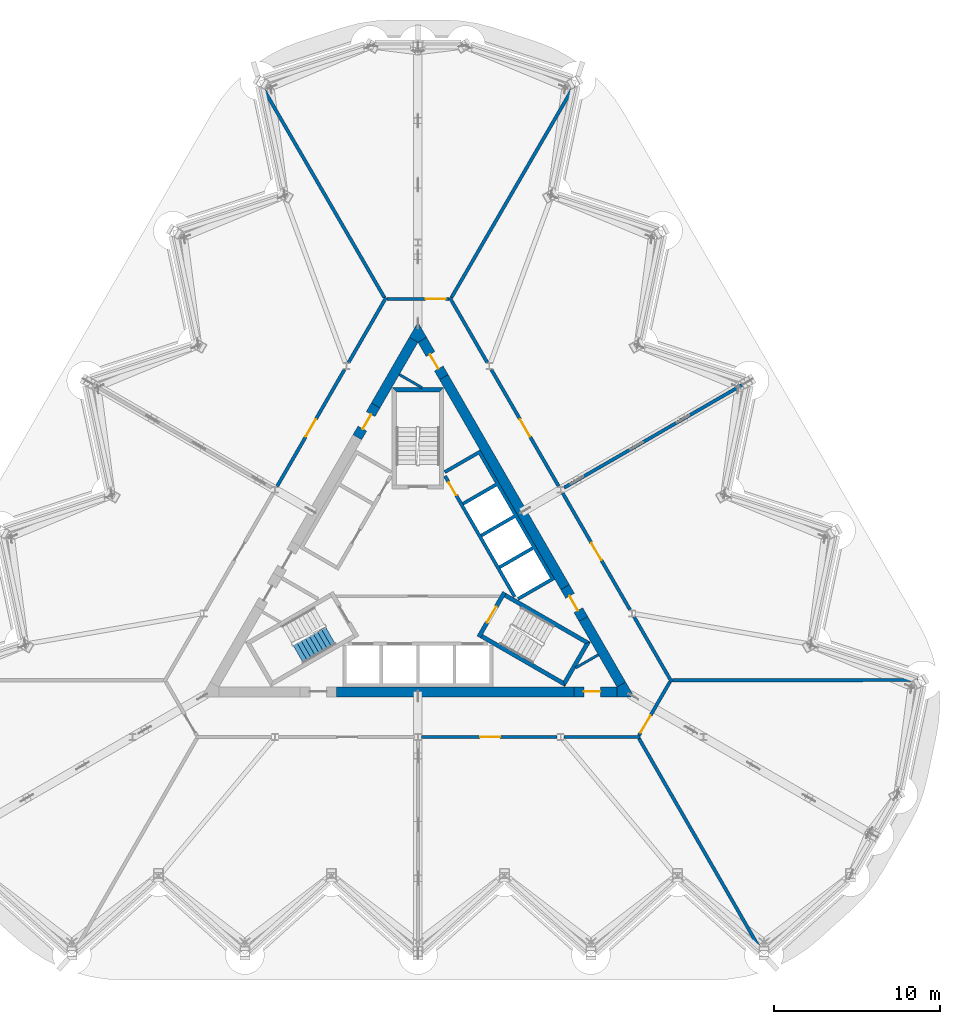
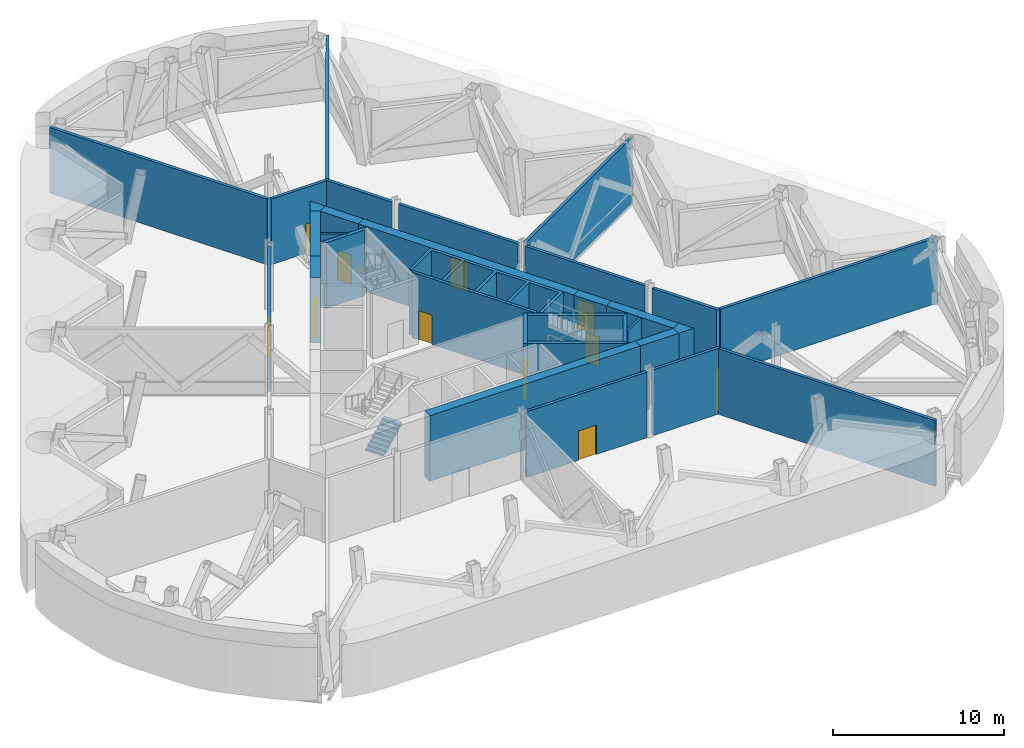
# One storey, part 8 of 16: 34 walls, 12 doors, 1 stair flight, 12 openings, 1 element without a shape of its own.
"""IFC4 building model written with IfcOpenShell, lengths in metres."""

from ifc_helpers import new_model, si_unit, direction, frame, frame_2d, origin, place, context, subcontext, project, spatial, polyline, rectangle, outline, extrude, material, layer, layer_set, type_object, element, fill, aggregate, save


model = new_model("IFC4")

# Units and contexts
model_context = context("Model", 3, precision=1e-05, world=origin(), true_north=direction((0.0, 1.0)))
body_context = subcontext(model_context, "Body", "Model", "MODEL_VIEW")
ifc_project = project(units=[si_unit("LENGTHUNIT", "METRE"), si_unit("AREAUNIT", "SQUARE_METRE"), si_unit("VOLUMEUNIT", "CUBIC_METRE"), si_unit("PLANEANGLEUNIT", "RADIAN"), si_unit("MASSUNIT", "GRAM", prefix="KILO")], contexts=[model_context])

# Site, building, storey
site_placement = place(None, origin())
site = spatial("IfcSite", under=ifc_project, at=site_placement, CompositionType="ELEMENT")
building_placement = place(site_placement, origin())
building = spatial("IfcBuilding", under=site, at=building_placement, Name="Cormorant Prow Tower", CompositionType="ELEMENT")
storey_placement = place(building_placement, frame((0.0, 0.0, 356.0)))
storey = spatial("IfcBuildingStorey", under=building, at=storey_placement, Name="L79", CompositionType="ELEMENT", Elevation=356.0)

# Walls
ifc_material_1 = material(Name="Gypsum board partition")
ifc_layer_1 = layer(ifc_material_1, 0.14990234375)
ifc_layer_set_1 = layer_set([ifc_layer_1], Name="Gypsum board partition")
wall_type_1 = type_object("IfcWallType", Name="Core partition 150", PredefinedType="PARTITIONING", material=ifc_layer_set_1)
wall_1_placement = place(storey_placement, frame((10.841796875, -4.96728515625, 0.0), z_axis=(0.0, 0.0, 1.0), x_axis=(-0.866098216386, -0.499873863663, 0.0)))
element("IfcWall", 1, at=wall_1_placement, inside=storey, type_object=wall_type_1, Name="Service room partition", PredefinedType="PARTITIONING", context=body_context, shape_type="SweptSolid", body=[
    extrude(rectangle(XDim=1.58203125, YDim=0.14990234375, at=frame_2d((0.791015625, 0.0))), origin(), (0.0, 0.0, 1.0), 4.699951171875),
])
wall_2_placement = place(storey_placement, frame((-1.119140625, 11.872802734375, 0.0), z_axis=(0.0, 0.0, 1.0), x_axis=(0.865992812752, -0.500056445075, 0.0)))
element("IfcWall", 2, at=wall_2_placement, inside=storey, type_object=wall_type_1, Name="Service room partition", PredefinedType="PARTITIONING", context=body_context, shape_type="SweptSolid", body=[
    extrude(rectangle(XDim=1.581787109375, YDim=0.14990234375, at=frame_2d((0.791015625, 0.0))), origin(), (0.0, 0.0, 1.0), 4.699951171875),
])
ifc_material_2 = material(Name="Concrete 8000 psi", Category="concrete")
ifc_layer_2 = layer(ifc_material_2, 0.60009765625)
ifc_layer_set_2 = layer_set([ifc_layer_2], Name="Concrete 8000 psi")
wall_type_2 = type_object("IfcWallType", Name="Core shear wall 600", PredefinedType="SHEAR", material=ifc_layer_set_2)
wall_3_placement = place(storey_placement, frame((-4.89208984375, -7.20556640625, 0.0), z_axis=(0.0, 0.0, 1.0), x_axis=(1.0, 0.0, 0.0)))
element("IfcWall", 3, at=wall_3_placement, inside=storey, type_object=wall_type_2, Name="Core wall", PredefinedType="SHEAR", context=body_context, shape_type="SweptSolid", body=[
    extrude(rectangle(XDim=14.2607421875, YDim=0.60009765625, at=frame_2d((7.13037109375, 0.0))), origin(), (0.0, 0.0, 1.0), 4.699951171875),
])
wall_4_placement = place(storey_placement, frame((8.841064453125, -0.902099609375, 0.0), z_axis=(0.0, 0.0, 1.0), x_axis=(-0.499995618375, 0.866027933502, 0.0)))
element("IfcWall", 4, at=wall_4_placement, inside=storey, type_object=wall_type_2, Name="Core wall", PredefinedType="SHEAR", context=body_context, shape_type="SweptSolid", body=[
    extrude(rectangle(XDim=14.570556640625, YDim=0.60009765625, at=frame_2d((7.28515625, 0.0))), origin(), (0.0, 0.0, 1.0), 4.699951171875),
])
for number, where, z_axis, x_axis, name in (
    (5, (12.220703125, -6.755615234375, 0.0), (0.0, 0.0, 1.0), (-0.500020646047, 0.866013483456, 0.0), "Core wall"),
    (6, (-0.259765625, 13.961181640625, 0.0), (0.0, 0.0, 1.0), (-0.499980485389, -0.866036670257, 0.0), "Core wall"),
):
    element("IfcWall", number, at=place(storey_placement, frame(where, z_axis=z_axis, x_axis=x_axis)), inside=storey, type_object=wall_type_2, Name=name, PredefinedType="SHEAR", context=body_context, shape_type="SweptSolid", body=[
        extrude(rectangle(XDim=4.559326171875, YDim=0.60009765625, at=frame_2d((2.27978515625, 0.0))), origin(), (0.0, 0.0, 1.0), 4.699951171875),
    ])
wall_5_placement = place(storey_placement, origin())
element("IfcWall", 7, at=wall_5_placement, inside=storey, type_object=wall_type_2, Name="Core wall corner", PredefinedType="SHEAR", context=body_context, shape_type="SweptSolid", body=[
    extrude(outline(polyline([(11.960693359375, -7.505615234375), (11.960693359375, -6.905517578125), (12.48046875, -6.605712890625), (13.0, -7.505615234375), (11.960693359375, -7.505615234375)])), origin(), (0.0, 0.0, 1.0), 4.699951171875),
])
wall_6_placement = place(storey_placement, origin())
element("IfcWall", 8, at=wall_6_placement, inside=storey, type_object=wall_type_2, Name="Core wall corner", PredefinedType="SHEAR", context=body_context, shape_type="SweptSolid", body=[
    extrude(outline(polyline([(-0.51953125, 14.111083984375), (0.0, 15.010986328125), (0.51953125, 14.111083984375), (0.0, 13.81103515625), (-0.51953125, 14.111083984375)])), origin(), (0.0, 0.0, 1.0), 4.699951171875),
])

# Wall, opening, door
wall_7_placement = place(storey_placement, frame((9.36865234375, -7.20556640625, 0.0), z_axis=(0.0, 0.0, 1.0), x_axis=(1.0, 0.0, 0.0)))
wall_7 = element("IfcWall", 9, at=wall_7_placement, inside=storey, type_object=wall_type_2, Name="Core wall door panel", PredefinedType="SHEAR", context=body_context, shape_type="SweptSolid", body=[
    extrude(rectangle(XDim=2.592041015625, YDim=0.60009765625, at=frame_2d((1.2958984375, 0.0))), origin(), (0.0, 0.0, 1.0), 4.699951171875),
])
opening_1_placement = place(wall_7_placement, frame((0.60009765625, 0.0, 0.0)))
opening_1 = element("IfcOpeningElement", 10, at=opening_1_placement, cuts=wall_7, Name="Opening L79-C11", PredefinedType="OPENING", context=body_context, shape_type="SweptSolid", body=[
    extrude(rectangle(XDim=1.0, YDim=2.10009765625, at=frame_2d((0.5, 1.050048828125))), frame((0.0, 0.31005859375, 0.0), z_axis=(0.0, -1.0, 0.0), x_axis=(1.0, 0.0, 0.0)), (0.0, 0.0, 1.0), 0.6201171875),
])
ifc_material_3 = material(Name="Painted steel", Category="steel")
door_type_1 = type_object("IfcDoorType", Name="Service door 1000x2100", OperationType="NOTDEFINED", PredefinedType="DOOR", material=ifc_material_3)
door_1_placement = place(opening_1_placement, origin())
door_1 = element("IfcDoor", 11, at=door_1_placement, inside=storey, type_object=door_type_1, Name="Core door, Telecom plant room", OperationType="SINGLE_SWING_RIGHT", OverallHeight=2.10009765625, OverallWidth=1.0, PredefinedType="DOOR", context=body_context, shape_type="SweptSolid", body=[
    extrude(rectangle(XDim=1.0, YDim=2.10009765625, at=frame_2d((0.5, 1.050048828125))), frame((0.0, 0.05517578125, 0.0), z_axis=(0.0, -1.0, 0.0), x_axis=(1.0, 0.0, 0.0)), (0.0, 0.0, 1.0), 0.050048828125),
])
fill(opening_1, door_1)

wall_8_placement = place(storey_placement, frame((9.94091796875, -2.80712890625, 0.0), z_axis=(0.0, 0.0, 1.0), x_axis=(-0.499994660107, 0.866028486751, 0.0)))
wall_8 = element("IfcWall", 12, at=wall_8_placement, inside=storey, type_object=wall_type_2, Name="Core wall door panel", PredefinedType="SHEAR", context=body_context, shape_type="SweptSolid", body=[
    extrude(rectangle(XDim=2.19970703125, YDim=0.60009765625, at=frame_2d((1.099853515625, 0.0))), origin(), (0.0, 0.0, 1.0), 4.699951171875),
])
opening_2_placement = place(wall_8_placement, frame((0.60009765625, 0.0, 0.0)))
opening_2 = element("IfcOpeningElement", 13, at=opening_2_placement, cuts=wall_8, Name="Opening L79-C13", PredefinedType="OPENING", context=body_context, shape_type="SweptSolid", body=[
    extrude(rectangle(XDim=1.0, YDim=2.10009765625, at=frame_2d((0.5, 1.050048828125))), frame((0.0, 0.31005859375, 0.0), z_axis=(0.0, -1.0, 0.0), x_axis=(1.0, 0.0, 0.0)), (0.0, 0.0, 1.0), 0.6201171875),
])
door_2_placement = place(opening_2_placement, origin())
door_2 = element("IfcDoor", 14, at=door_2_placement, inside=storey, type_object=door_type_1, Name="Core door, Electrical switch room", OperationType="SINGLE_SWING_LEFT", OverallHeight=2.10009765625, OverallWidth=1.0, PredefinedType="DOOR", context=body_context, shape_type="SweptSolid", body=[
    extrude(rectangle(XDim=1.0, YDim=2.10009765625, at=frame_2d((0.5, 1.050048828125))), frame((0.0, 0.05517578125, 0.0), z_axis=(0.0, -1.0, 0.0), x_axis=(1.0, 0.0, 0.0)), (0.0, 0.0, 1.0), 0.050048828125),
])
fill(opening_2, door_2)

wall_9_placement = place(storey_placement, frame((-2.539306640625, 10.0126953125, 0.0), z_axis=(0.0, 0.0, 1.0), x_axis=(-0.50002983664, -0.866008176907, 0.0)))
wall_9 = element("IfcWall", 15, at=wall_9_placement, inside=storey, type_object=wall_type_2, Name="Core wall door panel", PredefinedType="SHEAR", context=body_context, shape_type="SweptSolid", body=[
    extrude(rectangle(XDim=2.199951171875, YDim=0.60009765625, at=frame_2d((1.10009765625, 0.0))), origin(), (0.0, 0.0, 1.0), 4.699951171875),
])
opening_3_placement = place(wall_9_placement, frame((0.60009765625, 0.0, 0.0)))
opening_3 = element("IfcOpeningElement", 16, at=opening_3_placement, cuts=wall_9, Name="Opening L79-C15", PredefinedType="OPENING", context=body_context, shape_type="SweptSolid", body=[
    extrude(rectangle(XDim=1.0, YDim=2.10009765625, at=frame_2d((0.5, 1.050048828125))), frame((0.0, 0.31005859375, 0.0), z_axis=(0.0, -1.0, 0.0), x_axis=(1.0, 0.0, 0.0)), (0.0, 0.0, 1.0), 0.6201171875),
])
door_3_placement = place(opening_3_placement, origin())
door_3 = element("IfcDoor", 17, at=door_3_placement, inside=storey, type_object=door_type_1, Name="Core door, Telecom plant room", OperationType="SINGLE_SWING_LEFT", OverallHeight=2.10009765625, OverallWidth=1.0, PredefinedType="DOOR", context=body_context, shape_type="SweptSolid", body=[
    extrude(rectangle(XDim=1.0, YDim=2.10009765625, at=frame_2d((0.5, 1.050048828125))), frame((0.0, 0.05517578125, 0.0), z_axis=(0.0, -1.0, 0.0), x_axis=(1.0, 0.0, 0.0)), (0.0, 0.0, 1.0), 0.050048828125),
])
fill(opening_3, door_3)

wall_10_placement = place(storey_placement, frame((1.555908203125, 11.71630859375, 0.0), z_axis=(0.0, 0.0, 1.0), x_axis=(-0.500018667571, 0.866014625789, 0.0)))
wall_10 = element("IfcWall", 18, at=wall_10_placement, inside=storey, type_object=wall_type_2, Name="Core wall door panel", PredefinedType="SHEAR", context=body_context, shape_type="SweptSolid", body=[
    extrude(rectangle(XDim=2.59228515625, YDim=0.60009765625, at=frame_2d((1.296142578125, 0.0))), origin(), (0.0, 0.0, 1.0), 4.699951171875),
])
opening_4_placement = place(wall_10_placement, frame((0.60009765625, 0.0, 0.0)))
opening_4 = element("IfcOpeningElement", 19, at=opening_4_placement, cuts=wall_10, Name="Opening L79-C16", PredefinedType="OPENING", context=body_context, shape_type="SweptSolid", body=[
    extrude(rectangle(XDim=1.0, YDim=2.10009765625, at=frame_2d((0.5, 1.050048828125))), frame((0.0, 0.31005859375, 0.0), z_axis=(0.0, -1.0, 0.0), x_axis=(1.0, 0.0, 0.0)), (0.0, 0.0, 1.0), 0.6201171875),
])
door_4_placement = place(opening_4_placement, origin())
door_4 = element("IfcDoor", 20, at=door_4_placement, inside=storey, type_object=door_type_1, Name="Core door, Plant staff store", OperationType="SINGLE_SWING_RIGHT", OverallHeight=2.10009765625, OverallWidth=1.0, PredefinedType="DOOR", context=body_context, shape_type="SweptSolid", body=[
    extrude(rectangle(XDim=1.0, YDim=2.10009765625, at=frame_2d((0.5, 1.050048828125))), frame((0.0, 0.05517578125, 0.0), z_axis=(0.0, -1.0, 0.0), x_axis=(1.0, 0.0, 0.0)), (0.0, 0.0, 1.0), 0.050048828125),
])
fill(opening_4, door_4)

ifc_material_4 = material(Name="Gypsum board corridor wall")
ifc_layer_3 = layer(ifc_material_4, 0.199951171875)
ifc_layer_set_3 = layer_set([ifc_layer_3], Name="Gypsum board corridor wall")
wall_type_3 = type_object("IfcWallType", Name="Corridor wall 200", PredefinedType="PARTITIONING", material=ifc_layer_set_3)
wall_11_placement = place(storey_placement, frame((0.207763671875, -9.905517578125, 0.0), z_axis=(0.0, 0.0, 1.0), x_axis=(1.0, 0.0, 0.0)))
wall_11 = element("IfcWall", 21, at=wall_11_placement, inside=storey, type_object=wall_type_3, Name="Corridor wall", PredefinedType="PARTITIONING", context=body_context, shape_type="SweptSolid", body=[
    extrude(rectangle(XDim=8.1630859375, YDim=0.199951171875, at=frame_2d((4.08154296875, 0.0))), origin(), (0.0, 0.0, 1.0), 4.699951171875),
])
opening_5_placement = place(wall_11_placement, frame((3.531982421875, 0.0, 0.0)))
opening_5 = element("IfcOpeningElement", 22, at=opening_5_placement, cuts=wall_11, Name="Opening L79-F04", PredefinedType="OPENING", context=body_context, shape_type="SweptSolid", body=[
    extrude(rectangle(XDim=1.199951171875, YDim=2.10009765625, at=frame_2d((0.60009765625, 1.050048828125))), frame((0.0, 0.10986328125, 0.0), z_axis=(0.0, -1.0, 0.0), x_axis=(1.0, 0.0, 0.0)), (0.0, 0.0, 1.0), 0.219970703125),
])
ifc_material_5 = material(Name="Timber door leaf", Category="wood")
door_type_2 = type_object("IfcDoorType", Name="Plant room door 1200x2100", OperationType="NOTDEFINED", PredefinedType="DOOR", material=ifc_material_5)
door_5_placement = place(opening_5_placement, origin())
door_5 = element("IfcDoor", 23, at=door_5_placement, inside=storey, type_object=door_type_2, Name="Pump and tank room door", OperationType="SINGLE_SWING_LEFT", OverallHeight=2.10009765625, OverallWidth=1.199951171875, PredefinedType="DOOR", context=body_context, shape_type="SweptSolid", body=[
    extrude(rectangle(XDim=1.199951171875, YDim=2.10009765625, at=frame_2d((0.60009765625, 1.050048828125))), frame((0.0, 0.02490234375, 0.0), z_axis=(0.0, -1.0, 0.0), x_axis=(1.0, 0.0, 0.0)), (0.0, 0.0, 1.0), 0.050048828125),
])
fill(opening_5, door_5)

wall_12_placement = place(storey_placement, frame((-8.45849609375, 5.160400390625, 0.0), z_axis=(0.0, 0.0, 1.0), x_axis=(0.499984266882, 0.866034487114, 0.0)))
wall_12 = element("IfcWall", 24, at=wall_12_placement, inside=storey, type_object=wall_type_3, Name="Corridor wall", PredefinedType="PARTITIONING", context=body_context, shape_type="SweptSolid", body=[
    extrude(rectangle(XDim=8.098876953125, YDim=0.199951171875, at=frame_2d((4.04931640625, 0.0))), origin(), (0.0, 0.0, 1.0), 4.699951171875),
])
opening_6_placement = place(wall_12_placement, frame((3.449462890625, 0.0, 0.0)))
opening_6 = element("IfcOpeningElement", 25, at=opening_6_placement, cuts=wall_12, Name="Opening L79-F07", PredefinedType="OPENING", context=body_context, shape_type="SweptSolid", body=[
    extrude(rectangle(XDim=1.199951171875, YDim=2.10009765625, at=frame_2d((0.60009765625, 1.050048828125))), frame((0.0, 0.10986328125, 0.0), z_axis=(0.0, -1.0, 0.0), x_axis=(1.0, 0.0, 0.0)), (0.0, 0.0, 1.0), 0.219970703125),
])
door_6_placement = place(opening_6_placement, origin())
door_6 = element("IfcDoor", 26, at=door_6_placement, inside=storey, type_object=door_type_2, Name="Boiler plant room door", OperationType="SINGLE_SWING_LEFT", OverallHeight=2.10009765625, OverallWidth=1.199951171875, PredefinedType="DOOR", context=body_context, shape_type="SweptSolid", body=[
    extrude(rectangle(XDim=1.199951171875, YDim=2.10009765625, at=frame_2d((0.60009765625, 1.050048828125))), frame((0.0, 0.02490234375, 0.0), z_axis=(0.0, -1.0, 0.0), x_axis=(1.0, 0.0, 0.0)), (0.0, 0.0, 1.0), 0.050048828125),
])
fill(opening_6, door_6)

wall_13_placement = place(storey_placement, frame((4.4091796875, 12.17431640625, 0.0), z_axis=(0.0, 0.0, 1.0), x_axis=(0.499984266882, -0.866034487114, 0.0)))
wall_13 = element("IfcWall", 27, at=wall_13_placement, inside=storey, type_object=wall_type_3, Name="Corridor wall", PredefinedType="PARTITIONING", context=body_context, shape_type="SweptSolid", body=[
    extrude(rectangle(XDim=8.098876953125, YDim=0.199951171875, at=frame_2d((4.04931640625, 0.0))), origin(), (0.0, 0.0, 1.0), 4.699951171875),
])
opening_7_placement = place(wall_13_placement, frame((3.449462890625, 0.0, 0.0)))
opening_7 = element("IfcOpeningElement", 28, at=opening_7_placement, cuts=wall_13, Name="Opening L79-F08", PredefinedType="OPENING", context=body_context, shape_type="SweptSolid", body=[
    extrude(rectangle(XDim=1.199951171875, YDim=2.10009765625, at=frame_2d((0.60009765625, 1.050048828125))), frame((0.0, 0.10986328125, 0.0), z_axis=(0.0, -1.0, 0.0), x_axis=(1.0, 0.0, 0.0)), (0.0, 0.0, 1.0), 0.219970703125),
])
door_7_placement = place(opening_7_placement, origin())
door_7 = element("IfcDoor", 29, at=door_7_placement, inside=storey, type_object=door_type_2, Name="Generator room door", OperationType="SINGLE_SWING_RIGHT", OverallHeight=2.10009765625, OverallWidth=1.199951171875, PredefinedType="DOOR", context=body_context, shape_type="SweptSolid", body=[
    extrude(rectangle(XDim=1.199951171875, YDim=2.10009765625, at=frame_2d((0.60009765625, 1.050048828125))), frame((0.0, 0.02490234375, 0.0), z_axis=(0.0, -1.0, 0.0), x_axis=(1.0, 0.0, 0.0)), (0.0, 0.0, 1.0), 0.050048828125),
])
fill(opening_7, door_7)

wall_14_placement = place(storey_placement, frame((8.698486328125, 4.7451171875, 0.0), z_axis=(0.0, 0.0, 1.0), x_axis=(0.499984266882, -0.866034487114, 0.0)))
wall_14 = element("IfcWall", 30, at=wall_14_placement, inside=storey, type_object=wall_type_3, Name="Corridor wall", PredefinedType="PARTITIONING", context=body_context, shape_type="SweptSolid", body=[
    extrude(rectangle(XDim=8.098876953125, YDim=0.199951171875, at=frame_2d((4.04931640625, 0.0))), origin(), (0.0, 0.0, 1.0), 4.699951171875),
])
opening_8_placement = place(wall_14_placement, frame((3.449462890625, 0.0, 0.0)))
opening_8 = element("IfcOpeningElement", 31, at=opening_8_placement, cuts=wall_14, Name="Opening L79-F06", PredefinedType="OPENING", context=body_context, shape_type="SweptSolid", body=[
    extrude(rectangle(XDim=1.199951171875, YDim=2.10009765625, at=frame_2d((0.60009765625, 1.050048828125))), frame((0.0, 0.10986328125, 0.0), z_axis=(0.0, -1.0, 0.0), x_axis=(1.0, 0.0, 0.0)), (0.0, 0.0, 1.0), 0.219970703125),
])
door_8_placement = place(opening_8_placement, origin())
door_8 = element("IfcDoor", 32, at=door_8_placement, inside=storey, type_object=door_type_2, Name="Telecoms and server room door", OperationType="SINGLE_SWING_LEFT", OverallHeight=2.10009765625, OverallWidth=1.199951171875, PredefinedType="DOOR", context=body_context, shape_type="SweptSolid", body=[
    extrude(rectangle(XDim=1.199951171875, YDim=2.10009765625, at=frame_2d((0.60009765625, 1.050048828125))), frame((0.0, 0.02490234375, 0.0), z_axis=(0.0, -1.0, 0.0), x_axis=(1.0, 0.0, 0.0)), (0.0, 0.0, 1.0), 0.050048828125),
])
fill(opening_8, door_8)

# Walls
wall_15_placement = place(storey_placement, frame((8.7861328125, -9.905517578125, 0.0), z_axis=(0.0, 0.0, 1.0), x_axis=(1.0, 0.0, 0.0)))
element("IfcWall", 33, at=wall_15_placement, inside=storey, type_object=wall_type_3, Name="Corridor wall", PredefinedType="PARTITIONING", context=body_context, shape_type="SweptSolid", body=[
    extrude(rectangle(XDim=4.544677734375, YDim=0.199951171875, at=frame_2d((2.2724609375, 0.0))), origin(), (0.0, 0.0, 1.0), 4.699951171875),
])
for number, where, z_axis, x_axis, name in (
    (34, (12.987548828125, -2.68408203125, 0.0), (0.0, 0.0, 1.0), (0.49999094734, -0.866030630277, 0.0), "Corridor wall"),
    (35, (-4.169189453125, 12.589599609375, 0.0), (0.0, 0.0, 1.0), (0.499950370306, 0.866054055606, 0.0), "Corridor wall"),
    (36, (1.9130859375, 16.497802734375, 0.0), (0.0, 0.0, 1.0), (0.499950370306, -0.866054055606, 0.0), "Corridor wall"),
):
    element("IfcWall", number, at=place(storey_placement, frame(where, z_axis=z_axis, x_axis=x_axis)), inside=storey, type_object=wall_type_3, Name=name, PredefinedType="PARTITIONING", context=body_context, shape_type="SweptSolid", body=[
        extrude(rectangle(XDim=4.5126953125, YDim=0.199951171875, at=frame_2d((2.25634765625, 0.0))), origin(), (0.0, 0.0, 1.0), 4.699951171875),
    ])

# Wall, opening, door
wall_16_placement = place(storey_placement, frame((-1.863037109375, 16.4111328125, 0.0), z_axis=(0.0, 0.0, 1.0), x_axis=(1.0, 0.0, 0.0)))
wall_16 = element("IfcWall", 37, at=wall_16_placement, inside=storey, type_object=wall_type_3, Name="Corridor wall", PredefinedType="PARTITIONING", context=body_context, shape_type="SweptSolid", body=[
    extrude(rectangle(XDim=3.72607421875, YDim=0.199951171875, at=frame_2d((1.863037109375, 0.0))), origin(), (0.0, 0.0, 1.0), 4.699951171875),
])
opening_9_placement = place(wall_16_placement, frame((2.324951171875, 0.0, 0.0)))
opening_9 = element("IfcOpeningElement", 38, at=opening_9_placement, cuts=wall_16, Name="Opening L79-F09", PredefinedType="OPENING", context=body_context, shape_type="SweptSolid", body=[
    extrude(rectangle(XDim=1.199951171875, YDim=2.10009765625, at=frame_2d((0.60009765625, 1.050048828125))), frame((0.0, 0.10986328125, 0.0), z_axis=(0.0, -1.0, 0.0), x_axis=(1.0, 0.0, 0.0)), (0.0, 0.0, 1.0), 0.219970703125),
])
door_9_placement = place(opening_9_placement, origin())
door_9 = element("IfcDoor", 39, at=door_9_placement, inside=storey, type_object=door_type_2, Name="Sprinkler pump room door", OperationType="SINGLE_SWING_RIGHT", OverallHeight=2.10009765625, OverallWidth=1.199951171875, PredefinedType="DOOR", context=body_context, shape_type="SweptSolid", body=[
    extrude(rectangle(XDim=1.199951171875, YDim=2.10009765625, at=frame_2d((0.60009765625, 1.050048828125))), frame((0.0, 0.02490234375, 0.0), z_axis=(0.0, -1.0, 0.0), x_axis=(1.0, 0.0, 0.0)), (0.0, 0.0, 1.0), 0.050048828125),
])
fill(opening_9, door_9)

wall_17_placement = place(storey_placement, frame((13.281005859375, -9.819091796875, 0.0), z_axis=(0.0, 0.0, 1.0), x_axis=(0.499958791762, 0.866049194065, 0.0)))
wall_17 = element("IfcWall", 40, at=wall_17_placement, inside=storey, type_object=wall_type_3, Name="Corridor wall", PredefinedType="PARTITIONING", context=body_context, shape_type="SweptSolid", body=[
    extrude(rectangle(XDim=3.725830078125, YDim=0.199951171875, at=frame_2d((1.86279296875, 0.0))), origin(), (0.0, 0.0, 1.0), 4.699951171875),
])
opening_10_placement = place(wall_17_placement, frame((0.201171875, 0.0, 0.0)))
opening_10 = element("IfcOpeningElement", 41, at=opening_10_placement, cuts=wall_17, Name="Opening L79-F02", PredefinedType="OPENING", context=body_context, shape_type="SweptSolid", body=[
    extrude(rectangle(XDim=1.199951171875, YDim=2.10009765625, at=frame_2d((0.60009765625, 1.050048828125))), frame((0.0, 0.10986328125, 0.0), z_axis=(0.0, -1.0, 0.0), x_axis=(1.0, 0.0, 0.0)), (0.0, 0.0, 1.0), 0.219970703125),
])
door_10_placement = place(opening_10_placement, origin())
door_10 = element("IfcDoor", 42, at=door_10_placement, inside=storey, type_object=door_type_2, Name="Air handling plant room door", OperationType="SINGLE_SWING_LEFT", OverallHeight=2.10009765625, OverallWidth=1.199951171875, PredefinedType="DOOR", context=body_context, shape_type="SweptSolid", body=[
    extrude(rectangle(XDim=1.199951171875, YDim=2.10009765625, at=frame_2d((0.60009765625, 1.050048828125))), frame((0.0, 0.02490234375, 0.0), z_axis=(0.0, -1.0, 0.0), x_axis=(1.0, 0.0, 0.0)), (0.0, 0.0, 1.0), 0.050048828125),
])
fill(opening_10, door_10)

# Walls
ifc_material_6 = material(Name="Gypsum board demising wall")
ifc_layer_4 = layer(ifc_material_6, 0.199951171875)
ifc_layer_set_4 = layer_set([ifc_layer_4], Name="Gypsum board demising wall")
wall_type_4 = type_object("IfcWallType", Name="Demising wall 200", PredefinedType="PARTITIONING", material=ifc_layer_set_4)
wall_18_placement = place(storey_placement, frame((15.2939453125, -6.50537109375, 0.0), z_axis=(0.0, 0.0, 1.0), x_axis=(0.999998705824, 0.001608834911, 0.0)))
element("IfcWall", 43, at=wall_18_placement, inside=storey, type_object=wall_type_4, Name="Demising wall", PredefinedType="PARTITIONING", context=body_context, shape_type="SweptSolid", body=[
    extrude(rectangle(XDim=14.7197265625, YDim=0.199951171875, at=frame_2d((7.35986328125, 0.0))), origin(), (0.0, 0.0, 1.0), 4.699951171875),
])
for number, where, z_axis, x_axis, name in (
    (44, (2.01318359375, 16.49755859375, 0.0), (0.0, 0.0, 1.0), (0.501398610674, 0.865216408313, 0.0), "Demising wall"),
    (45, (-9.376708984375, 29.2041015625, 0.0), (0.0, 0.0, 1.0), (0.501398610674, -0.865216408313, 0.0), "Demising wall"),
):
    element("IfcWall", number, at=place(storey_placement, frame(where, z_axis=z_axis, x_axis=x_axis)), inside=storey, type_object=wall_type_4, Name=name, PredefinedType="PARTITIONING", context=body_context, shape_type="SweptSolid", body=[
        extrude(rectangle(XDim=14.68603515625, YDim=0.199951171875, at=frame_2d((7.343017578125, 0.0))), origin(), (0.0, 0.0, 1.0), 4.699951171875),
    ])
wall_19_placement = place(storey_placement, frame((13.28076171875, -9.9921875, 0.0), z_axis=(0.0, 0.0, 1.0), x_axis=(0.498599735937, -0.866832338646, 0.0)))
element("IfcWall", 46, at=wall_19_placement, inside=storey, type_object=wall_type_4, Name="Demising wall", PredefinedType="PARTITIONING", context=body_context, shape_type="SweptSolid", body=[
    extrude(rectangle(XDim=14.65771484375, YDim=0.199951171875, at=frame_2d((7.328857421875, 0.0))), origin(), (0.0, 0.0, 1.0), 4.699951171875),
])
wall_20_placement = place(storey_placement, frame((8.7861328125, 5.07275390625, 0.0), z_axis=(0.0, 0.0, 1.0), x_axis=(0.86602139559, 0.500006942333, 0.0)))
element("IfcWall", 47, at=wall_20_placement, inside=storey, type_object=wall_type_4, Name="Demising wall", PredefinedType="PARTITIONING", context=body_context, shape_type="SweptSolid", body=[
    extrude(rectangle(XDim=12.504638671875, YDim=0.199951171875, at=frame_2d((6.25244140625, 0.0))), origin(), (0.0, 0.0, 1.0), 4.699951171875),
])

# Wall, opening, door
ifc_material_7 = material(Name="Concrete 5000 psi", Category="concrete")
ifc_layer_5 = layer(ifc_material_7, 0.199951171875)
ifc_layer_set_5 = layer_set([ifc_layer_5], Name="Concrete 5000 psi")
wall_type_5 = type_object("IfcWallType", Name="Lift lobby wall 200", PredefinedType="SOLIDWALL", material=ifc_layer_set_5)
wall_21_placement = place(storey_placement, frame((5.817138671875, -1.4755859375, 0.0), z_axis=(0.0, 0.0, 1.0), x_axis=(-0.500002616675, 0.866023893041, 0.0)))
wall_21 = element("IfcWall", 48, at=wall_21_placement, inside=storey, type_object=wall_type_5, Name="Lift lobby wall, ENE block", PredefinedType="SOLIDWALL", context=body_context, shape_type="SweptSolid", body=[
    extrude(rectangle(XDim=8.373046875, YDim=0.199951171875, at=frame_2d((4.1865234375, 0.0))), origin(), (0.0, 0.0, 1.0), 4.699951171875),
])
opening_11_placement = place(wall_21_placement, frame((7.03662109375, 0.0, 0.0)))
opening_11 = element("IfcOpeningElement", 49, at=opening_11_placement, cuts=wall_21, Name="Opening L79-C04", PredefinedType="OPENING", context=body_context, shape_type="SweptSolid", body=[
    extrude(rectangle(XDim=0.89990234375, YDim=2.10009765625, at=frame_2d((0.449951171875, 1.050048828125))), frame((0.0, 0.10986328125, 0.0), z_axis=(0.0, -1.0, 0.0), x_axis=(1.0, 0.0, 0.0)), (0.0, 0.0, 1.0), 0.219970703125),
])
ifc_material_8 = material(Name="Painted steel", Category="steel")
door_type_3 = type_object("IfcDoorType", Name="Service door 900x2100", OperationType="NOTDEFINED", PredefinedType="DOOR", material=ifc_material_8)
door_11_placement = place(opening_11_placement, origin())
door_11 = element("IfcDoor", 50, at=door_11_placement, inside=storey, type_object=door_type_3, Name="Service door, Telecom plant room", OperationType="SINGLE_SWING_RIGHT", OverallHeight=2.10009765625, OverallWidth=0.89990234375, PredefinedType="DOOR", context=body_context, shape_type="SweptSolid", body=[
    extrude(rectangle(XDim=0.89990234375, YDim=2.10009765625, at=frame_2d((0.449951171875, 1.050048828125))), frame((0.0, 0.02490234375, 0.0), z_axis=(0.0, -1.0, 0.0), x_axis=(1.0, 0.0, 0.0)), (0.0, 0.0, 1.0), 0.050048828125),
])
fill(opening_11, door_11)

# Walls
ifc_material_9 = material(Name="Concrete 8000 psi", Category="concrete")
ifc_layer_6 = layer(ifc_material_9, 0.199951171875)
ifc_layer_set_6 = layer_set([ifc_layer_6], Name="Concrete 8000 psi")
wall_type_6 = type_object("IfcWallType", Name="Lift shaft wall 200", PredefinedType="SHEAR", material=ifc_layer_set_6)
wall_22_placement = place(storey_placement, origin())
element("IfcWall", 51, at=wall_22_placement, inside=storey, type_object=wall_type_6, Name="Lift shaft walls, ENE block", PredefinedType="SHEAR", context=body_context, shape_type="SweptSolid", body=[
    extrude(outline(polyline([(1.560546875, 6.09716796875), (3.730712890625, 7.35009765625), (8.230712890625, -0.444091796875), (6.060546875, -1.697021484375), (5.96044921875, -1.52392578125), (7.952392578125, -0.373779296875), (6.952392578125, 1.358154296875), (4.96044921875, 0.2080078125), (4.860595703125, 0.38134765625), (6.852294921875, 1.53125), (5.852294921875, 3.263427734375), (3.860595703125, 2.11328125), (3.760498046875, 2.28662109375), (5.75244140625, 3.4365234375), (4.75244140625, 5.168701171875), (2.760498046875, 4.018798828125), (2.660400390625, 4.19189453125), (4.65234375, 5.341796875), (3.65234375, 7.073974609375), (1.660400390625, 5.923828125), (1.560546875, 6.09716796875)])), origin(), (0.0, 0.0, 1.0), 4.699951171875),
])
ifc_material_10 = material(Name="Concrete 8000 psi", Category="concrete")
ifc_layer_7 = layer(ifc_material_10, 0.25)
ifc_layer_set_7 = layer_set([ifc_layer_7], Name="Concrete 8000 psi")
wall_type_7 = type_object("IfcWallType", Name="Stair wall 250", PredefinedType="SHEAR", material=ifc_layer_set_7)
wall_23_placement = place(storey_placement, origin())
element("IfcWall", 52, at=wall_23_placement, inside=storey, type_object=wall_type_7, Name="Stair ST2 enclosure wall (flank)", PredefinedType="SHEAR", context=body_context, shape_type="SweptSolid", body=[
    extrude(outline(polyline([(3.76318359375, -3.95556640625), (8.82958984375, -6.880615234375), (8.738037109375, -6.5390625), (3.88818359375, -3.739013671875), (3.76318359375, -3.95556640625)])), origin(), (0.0, 0.0, 1.0), 4.699951171875),
])
wall_24_placement = place(storey_placement, origin())
element("IfcWall", 53, at=wall_24_placement, inside=storey, type_object=wall_type_7, Name="Stair ST2 enclosure wall (end)", PredefinedType="SHEAR", context=body_context, shape_type="SweptSolid", body=[
    extrude(outline(polyline([(8.82958984375, -6.880615234375), (10.37353515625, -4.206298828125), (10.031982421875, -4.2978515625), (8.738037109375, -6.5390625), (8.82958984375, -6.880615234375)])), origin(), (0.0, 0.0, 1.0), 4.699951171875),
])
wall_25_placement = place(storey_placement, origin())
element("IfcWall", 54, at=wall_25_placement, inside=storey, type_object=wall_type_7, Name="Stair ST2 enclosure wall (flank)", PredefinedType="SHEAR", context=body_context, shape_type="SweptSolid", body=[
    extrude(outline(polyline([(10.031982421875, -4.2978515625), (10.37353515625, -4.206298828125), (5.30712890625, -1.28125), (5.18212890625, -1.497802734375), (10.031982421875, -4.2978515625)])), origin(), (0.0, 0.0, 1.0), 4.699951171875),
])

# Wall, opening, door
wall_26_placement = place(storey_placement, frame((3.655029296875, -3.89306640625, 0.0), z_axis=(0.0, 0.0, 1.0), x_axis=(0.499982516597, 0.866035497597, 0.0)))
wall_26 = element("IfcWall", 55, at=wall_26_placement, inside=storey, type_object=wall_type_7, Name="Stair ST2 door wall", PredefinedType="SHEAR", context=body_context, shape_type="SweptSolid", body=[
    extrude(rectangle(XDim=3.087890625, YDim=0.25, at=frame_2d((1.5439453125, 0.0))), origin(), (0.0, 0.0, 1.0), 4.699951171875),
])
opening_12_placement = place(wall_26_placement, frame((0.993896484375, 0.0, 0.0)))
opening_12 = element("IfcOpeningElement", 56, at=opening_12_placement, cuts=wall_26, Name="Opening L79-C09", PredefinedType="OPENING", context=body_context, shape_type="SweptSolid", body=[
    extrude(rectangle(XDim=1.10009765625, YDim=2.10009765625, at=frame_2d((0.550048828125, 1.050048828125))), frame((0.0, 0.135009765625, 0.0), z_axis=(0.0, -1.0, 0.0), x_axis=(1.0, 0.0, 0.0)), (0.0, 0.0, 1.0), 0.27001953125),
])
ifc_material_11 = material(Name="Painted steel", Category="steel")
door_type_4 = type_object("IfcDoorType", Name="Stair door 1100x2100", OperationType="NOTDEFINED", PredefinedType="DOOR", material=ifc_material_11)
door_12_placement = place(opening_12_placement, origin())
door_12 = element("IfcDoor", 57, at=door_12_placement, inside=storey, type_object=door_type_4, Name="Stair ST2 door", OperationType="SINGLE_SWING_RIGHT", OverallHeight=2.10009765625, OverallWidth=1.10009765625, PredefinedType="DOOR", context=body_context, shape_type="SweptSolid", body=[
    extrude(rectangle(XDim=1.10009765625, YDim=2.10009765625, at=frame_2d((0.550048828125, 1.050048828125))), frame((0.0, 0.02490234375, 0.0), z_axis=(0.0, -1.0, 0.0), x_axis=(1.0, 0.0, 0.0)), (0.0, 0.0, 1.0), 0.050048828125),
])
fill(opening_12, door_12)

# Wall
wall_27_placement = place(storey_placement, origin())
element("IfcWall", 58, at=wall_27_placement, inside=storey, type_object=wall_type_7, Name="Stair ST3 enclosure wall (end)", PredefinedType="SHEAR", context=body_context, shape_type="SweptSolid", body=[
    extrude(outline(polyline([(1.5439453125, 11.0869140625), (-1.5439453125, 11.0869140625), (-1.2939453125, 10.8369140625), (1.2939453125, 10.8369140625), (1.5439453125, 11.0869140625)])), origin(), (0.0, 0.0, 1.0), 4.699951171875),
])

# Stair, stair flight
ifc_material_12 = material(Name="Exit stair 36 risers")
stair_type = type_object("IfcStairType", Name="Exit stair 36 risers", PredefinedType="HALF_TURN_STAIR", material=ifc_material_12)
stair_placement = place(storey_placement, origin())
stair = element("IfcStair", 59, at=stair_placement, inside=storey, type_object=stair_type, Name="L79 Exit stair ST1", PredefinedType="HALF_TURN_STAIR")
ifc_material_13 = material(Name="Concrete 5000 psi", Category="concrete")
stair_flight_type = type_object("IfcStairFlightType", Name="Stair flight 1219", PredefinedType="STRAIGHT", material=ifc_material_13)
stair_flight_placement = place(storey_placement, frame((-7.1884765625, -4.940673828125, 1.25), z_axis=(0.0, 0.0, 1.0), x_axis=(0.866025403784, 0.5, 0.0)))
stair_flight = element("IfcStairFlight", 60, at=stair_flight_placement, type_object=stair_flight_type, Name="ST1 flight 2", NumberOfRisers=9, NumberOfTreads=8, PredefinedType="STRAIGHT", RiserHeight=0.138888889, TreadLength=0.28, context=body_context, shape_type="SweptSolid", body=[
    extrude(outline(polyline([(0.0, 0.0), (0.0, 0.138916015625), (0.280029296875, 0.138916015625), (0.280029296875, 0.27783203125), (0.56005859375, 0.27783203125), (0.56005859375, 0.416748046875), (0.840087890625, 0.416748046875), (0.840087890625, 0.5556640625), (1.1201171875, 0.5556640625), (1.1201171875, 0.6943359375), (1.39990234375, 0.6943359375), (1.39990234375, 0.833251953125), (1.679931640625, 0.833251953125), (1.679931640625, 0.97216796875), (1.9599609375, 0.97216796875), (1.9599609375, 1.111083984375), (2.239990234375, 1.111083984375), (2.239990234375, 1.25), (2.239990234375, 0.94384765625), (0.33740234375, 0.0), (0.0, 0.0)])), frame((0.0, 0.609375, 0.0), z_axis=(0.0, -1.0, 0.0), x_axis=(1.0, 0.0, 0.0)), (0.0, 0.0, 1.0), 1.218994140625),
])
aggregate(stair, [stair_flight])

save(model, "model.ifc")
